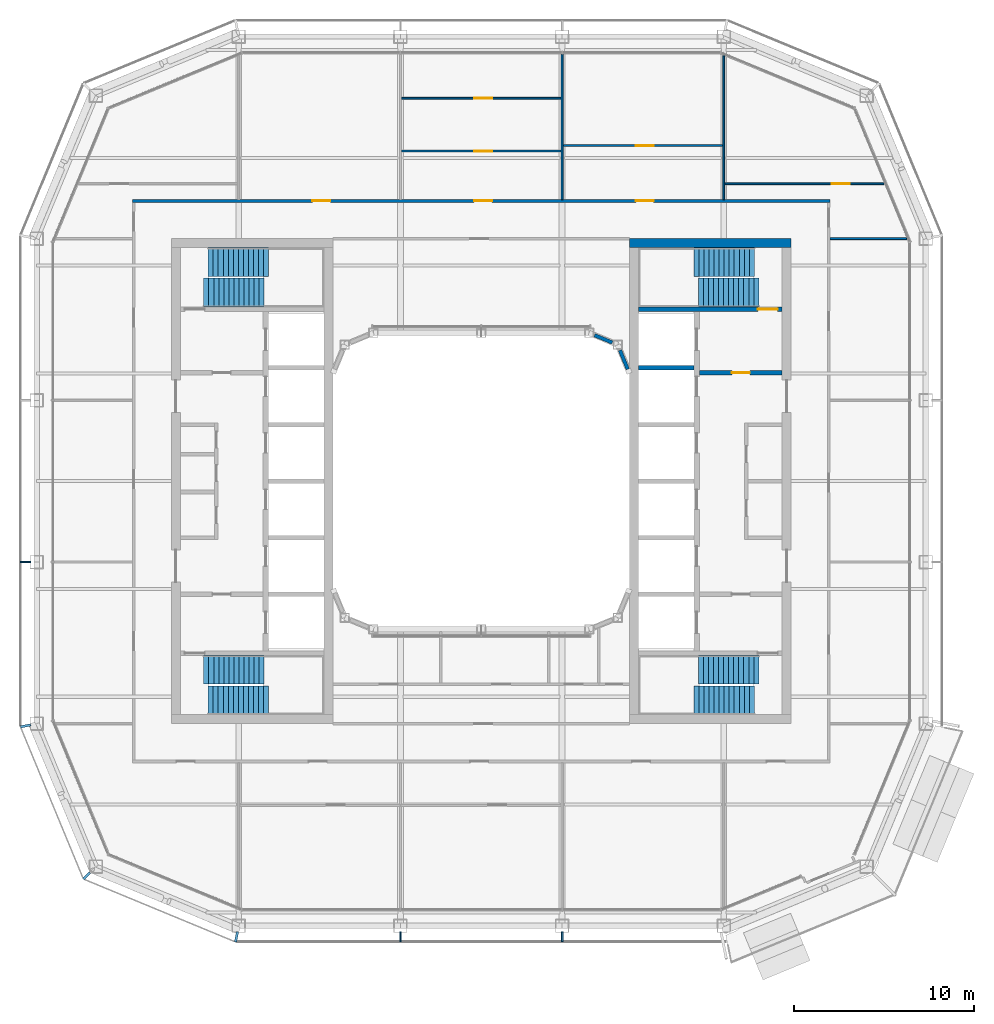
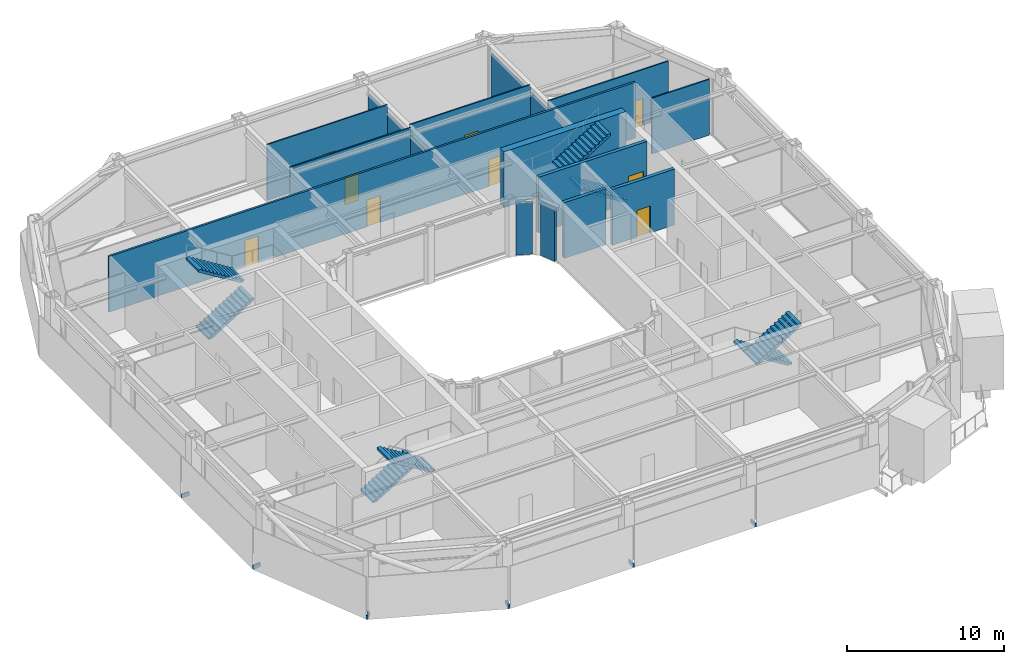
# One storey, part 13 of 21: 14 walls, 9 doors, 8 stair flights, 6 discrete accessories, 9 openings, 4 elements without a shape of their own.
"""IFC4 building model written with IfcOpenShell, lengths in metres."""

from ifc_helpers import new_model, si_unit, direction, frame, frame_2d, origin, origin_2d, place, context, subcontext, project, spatial, polyline, rectangle, outline, extrude, material, layer, layer_set, type_object, element, fill, aggregate, save


model = new_model("IFC4")

# Units and contexts
model_context = context("Model", 3, precision=1e-05, world=origin(), true_north=direction((0.0, 1.0)))
body_context = subcontext(model_context, "Body", "Model", "MODEL_VIEW")
ifc_project = project(units=[si_unit("LENGTHUNIT", "METRE"), si_unit("AREAUNIT", "SQUARE_METRE"), si_unit("VOLUMEUNIT", "CUBIC_METRE"), si_unit("PLANEANGLEUNIT", "RADIAN"), si_unit("MASSUNIT", "GRAM", prefix="KILO")], contexts=[model_context])

# Site, building, storey
site_placement = place(None, origin())
site = spatial("IfcSite", under=ifc_project, at=site_placement, CompositionType="ELEMENT")
building_placement = place(site_placement, origin())
building = spatial("IfcBuilding", under=site, at=building_placement, Name="Siwar Civic Tower", CompositionType="ELEMENT")
storey_placement = place(building_placement, frame((0.0, 0.0, 303.199951171875)))
storey = spatial("IfcBuildingStorey", under=building, at=storey_placement, Name="L65", CompositionType="ELEMENT", Elevation=303.199951171875)

# Wall, opening, door
ifc_material_1 = material(Name="Concrete C60/75", Category="concrete")
ifc_layer_1 = layer(ifc_material_1, 0.25)
ifc_layer_set_1 = layer_set([ifc_layer_1], Name="Concrete C60/75")
wall_type_1 = type_object("IfcWallType", Name="CORE-WALL-RC250", PredefinedType="SHEAR", material=ifc_layer_set_1)
wall_1_placement = place(storey_placement, frame((12.14990234375, 6.02490234375, 0.0), z_axis=(0.0, 0.0, 1.0), x_axis=(1.0, 0.0, 0.0)))
wall_1 = element("IfcWall", 1, at=wall_1_placement, inside=storey, type_object=wall_type_1, Name="Core wall E", PredefinedType="SHEAR", context=body_context, shape_type="SweptSolid", body=[
    extrude(rectangle(XDim=4.60009765625, YDim=0.25, at=frame_2d((2.300048828125, 0.0))), origin(), (0.0, 0.0, 1.0), 4.35009765625),
])
opening_1_placement = place(wall_1_placement, frame((1.800048828125, 0.0, 0.0)))
opening_1 = element("IfcOpeningElement", 2, at=opening_1_placement, cuts=wall_1, Name="Opening L65-CE01", PredefinedType="OPENING", context=body_context, shape_type="SweptSolid", body=[
    extrude(rectangle(XDim=1.0, YDim=2.10009765625, at=frame_2d((0.5, 1.050048828125))), frame((0.0, 0.135009765625, 0.0), z_axis=(0.0, -1.0, 0.0), x_axis=(1.0, 0.0, 0.0)), (0.0, 0.0, 1.0), 0.27001953125),
])
ifc_material_2 = material(Name="Steel door leaf", Category="steel")
door_type_1 = type_object("IfcDoorType", Name="CORE-DOOR-FD30S", OperationType="SINGLE_SWING_LEFT", PredefinedType="DOOR", material=ifc_material_2)
door_1_placement = place(opening_1_placement, origin())
door_1 = element("IfcDoor", 3, at=door_1_placement, inside=storey, type_object=door_type_1, Name="Firefighting lobby door L65-CE01", OperationType="SINGLE_SWING_RIGHT", OverallHeight=2.10009765625, OverallWidth=1.0, PredefinedType="DOOR", context=body_context, shape_type="SweptSolid", body=[
    extrude(rectangle(XDim=1.0, YDim=2.10009765625, at=frame_2d((0.5, 1.050048828125))), frame((0.0, 0.02490234375, 0.0), z_axis=(0.0, -1.0, 0.0), x_axis=(1.0, 0.0, 0.0)), (0.0, 0.0, 1.0), 0.050048828125),
])
fill(opening_1, door_1)

# Wall
wall_2_placement = place(storey_placement, frame((8.75, 6.300048828125, 0.0), z_axis=(0.0, 0.0, 1.0), x_axis=(1.0, 0.0, 0.0)))
element("IfcWall", 4, at=wall_2_placement, inside=storey, type_object=wall_type_1, Name="Core wall E", PredefinedType="SHEAR", context=body_context, shape_type="SweptSolid", body=[
    extrude(rectangle(XDim=3.10009765625, YDim=0.25, at=frame_2d((1.550048828125, 0.0))), origin(), (0.0, 0.0, 1.0), 4.35009765625),
])

# Wall, opening, door
wall_3_placement = place(storey_placement, frame((8.75, 9.574951171875, 0.0), z_axis=(0.0, 0.0, 1.0), x_axis=(1.0, 0.0, 0.0)))
wall_3 = element("IfcWall", 5, at=wall_3_placement, inside=storey, type_object=wall_type_1, Name="Core wall E", PredefinedType="SHEAR", context=body_context, shape_type="SweptSolid", body=[
    extrude(rectangle(XDim=8.0, YDim=0.25, at=frame_2d((4.0, 0.0))), origin(), (0.0, 0.0, 1.0), 4.35009765625),
])
opening_2_placement = place(wall_3_placement, frame((6.64990234375, 0.0, 0.0)))
opening_2 = element("IfcOpeningElement", 6, at=opening_2_placement, cuts=wall_3, Name="Opening L65-CE03", PredefinedType="OPENING", context=body_context, shape_type="SweptSolid", body=[
    extrude(rectangle(XDim=1.10009765625, YDim=2.10009765625, at=frame_2d((0.550048828125, 1.050048828125))), frame((0.0, 0.135009765625, 0.0), z_axis=(0.0, -1.0, 0.0), x_axis=(1.0, 0.0, 0.0)), (0.0, 0.0, 1.0), 0.27001953125),
])
ifc_material_3 = material(Name="Steel door leaf", Category="steel")
door_type_2 = type_object("IfcDoorType", Name="CORE-DOOR-FD60S", OperationType="SINGLE_SWING_LEFT", PredefinedType="DOOR", material=ifc_material_3)
door_2_placement = place(opening_2_placement, origin())
door_2 = element("IfcDoor", 7, at=door_2_placement, inside=storey, type_object=door_type_2, Name="Stair door L65-CE03", OperationType="SINGLE_SWING_LEFT", OverallHeight=2.10009765625, OverallWidth=1.10009765625, PredefinedType="DOOR", context=body_context, shape_type="SweptSolid", body=[
    extrude(rectangle(XDim=1.10009765625, YDim=2.10009765625, at=frame_2d((0.550048828125, 1.050048828125))), frame((0.0, 0.02490234375, 0.0), z_axis=(0.0, -1.0, 0.0), x_axis=(1.0, 0.0, 0.0)), (0.0, 0.0, 1.0), 0.050048828125),
])
fill(opening_2, door_2)

# Wall
ifc_material_4 = material(Name="Concrete C60/75", Category="concrete")
ifc_layer_2 = layer(ifc_material_4, 0.5)
ifc_layer_set_2 = layer_set([ifc_layer_2], Name="Concrete C60/75")
wall_type_2 = type_object("IfcWallType", Name="CORE-WALL-RC500", PredefinedType="SHEAR", material=ifc_layer_set_2)
wall_4_placement = place(storey_placement, frame((8.25, 13.25, 0.0), z_axis=(0.0, 0.0, 1.0), x_axis=(1.0, 0.0, 0.0)))
element("IfcWall", 8, at=wall_4_placement, inside=storey, type_object=wall_type_2, Name="Core wall E", PredefinedType="SHEAR", context=body_context, shape_type="SweptSolid", body=[
    extrude(rectangle(XDim=9.0, YDim=0.5, at=frame_2d((4.5, 0.0))), origin(), (0.0, 0.0, 1.0), 4.35009765625),
])

# Wall, openings, doors
ifc_material_5 = material(Name="Gypsum board on steel studs", Category="steel")
ifc_layer_3 = layer(ifc_material_5, 0.14990234375)
ifc_layer_set_3 = layer_set([ifc_layer_3], Name="Gypsum board on steel studs")
wall_type_3 = type_object("IfcWallType", Name="CORRIDOR PARTITION 150 EI 30", PredefinedType="PARTITIONING", material=ifc_layer_set_3)
wall_5_placement = place(storey_placement, frame((-19.425048828125, 15.60009765625, 0.0), z_axis=(0.0, 0.0, 1.0), x_axis=(1.0, 0.0, 0.0)))
wall_5 = element("IfcWall", 9, at=wall_5_placement, inside=storey, type_object=wall_type_3, Name="L65/wall/P15", PredefinedType="PARTITIONING", context=body_context, shape_type="SweptSolid", body=[
    extrude(rectangle(XDim=38.85009765625, YDim=0.14990234375, at=frame_2d((19.425048828125, 0.0))), origin(), (0.0, 0.0, 1.0), 4.35009765625),
])
opening_3_placement = place(wall_5_placement, frame((10.02490234375, 0.0, 0.0)))
opening_3 = element("IfcOpeningElement", 10, at=opening_3_placement, cuts=wall_5, Name="Opening D1", PredefinedType="OPENING", context=body_context, shape_type="SweptSolid", body=[
    extrude(rectangle(XDim=1.0, YDim=2.10009765625, at=frame_2d((0.5, 1.050048828125))), frame((0.0, 0.0849609375, 0.0), z_axis=(0.0, -1.0, 0.0), x_axis=(1.0, 0.0, 0.0)), (0.0, 0.0, 1.0), 0.169921875),
])
opening_4_placement = place(wall_5_placement, frame((19.02490234375, 0.0, 0.0)))
opening_4 = element("IfcOpeningElement", 11, at=opening_4_placement, cuts=wall_5, Name="Opening D1", PredefinedType="OPENING", context=body_context, shape_type="SweptSolid", body=[
    extrude(rectangle(XDim=1.0, YDim=2.10009765625, at=frame_2d((0.5, 1.050048828125))), frame((0.0, 0.0849609375, 0.0), z_axis=(0.0, -1.0, 0.0), x_axis=(1.0, 0.0, 0.0)), (0.0, 0.0, 1.0), 0.169921875),
])
opening_5_placement = place(wall_5_placement, frame((28.02490234375, 0.0, 0.0)))
opening_5 = element("IfcOpeningElement", 12, at=opening_5_placement, cuts=wall_5, Name="Opening D1", PredefinedType="OPENING", context=body_context, shape_type="SweptSolid", body=[
    extrude(rectangle(XDim=1.0, YDim=2.10009765625, at=frame_2d((0.5, 1.050048828125))), frame((0.0, 0.0849609375, 0.0), z_axis=(0.0, -1.0, 0.0), x_axis=(1.0, 0.0, 0.0)), (0.0, 0.0, 1.0), 0.169921875),
])
ifc_material_6 = material(Name="Timber, painted", Category="wood")
door_type_3 = type_object("IfcDoorType", Name="DOOR 1000 X 2100 FD30", OperationType="SINGLE_SWING_LEFT", PredefinedType="DOOR", material=ifc_material_6)
door_3_placement = place(opening_3_placement, origin())
door_3 = element("IfcDoor", 13, at=door_3_placement, inside=storey, type_object=door_type_3, Name="L65-D01", OperationType="SINGLE_SWING_LEFT", OverallHeight=2.10009765625, OverallWidth=1.0, PredefinedType="DOOR", context=body_context, shape_type="SweptSolid", body=[
    extrude(rectangle(XDim=1.0, YDim=2.10009765625, at=frame_2d((0.5, 1.050048828125))), frame((0.0, 0.02490234375, 0.0), z_axis=(0.0, -1.0, 0.0), x_axis=(1.0, 0.0, 0.0)), (0.0, 0.0, 1.0), 0.050048828125),
])
fill(opening_3, door_3)
door_4_placement = place(opening_4_placement, origin())
door_4 = element("IfcDoor", 14, at=door_4_placement, inside=storey, type_object=door_type_3, Name="L65-D02", OperationType="SINGLE_SWING_RIGHT", OverallHeight=2.10009765625, OverallWidth=1.0, PredefinedType="DOOR", context=body_context, shape_type="SweptSolid", body=[
    extrude(rectangle(XDim=1.0, YDim=2.10009765625, at=frame_2d((0.5, 1.050048828125))), frame((0.0, 0.02490234375, 0.0), z_axis=(0.0, -1.0, 0.0), x_axis=(1.0, 0.0, 0.0)), (0.0, 0.0, 1.0), 0.050048828125),
])
fill(opening_4, door_4)
door_5_placement = place(opening_5_placement, origin())
door_5 = element("IfcDoor", 15, at=door_5_placement, inside=storey, type_object=door_type_3, Name="L65-D05", OperationType="SINGLE_SWING_LEFT", OverallHeight=2.10009765625, OverallWidth=1.0, PredefinedType="DOOR", context=body_context, shape_type="SweptSolid", body=[
    extrude(rectangle(XDim=1.0, YDim=2.10009765625, at=frame_2d((0.5, 1.050048828125))), frame((0.0, 0.02490234375, 0.0), z_axis=(0.0, -1.0, 0.0), x_axis=(1.0, 0.0, 0.0)), (0.0, 0.0, 1.0), 0.050048828125),
])
fill(opening_5, door_5)

# Walls
ifc_material_7 = material(Name="Aluminium clad insulated panel", Category="aluminium")
ifc_layer_4 = layer(ifc_material_7, 0.199951171875)
ifc_layer_set_4 = layer_set([ifc_layer_4], Name="Aluminium clad insulated panel")
wall_type_4 = type_object("IfcWallType", Name="ENV-WALL-WELL", PredefinedType="STANDARD", material=ifc_layer_set_4)
wall_6_placement = place(storey_placement, frame((8.154296875, 6.23095703125, 0.0), z_axis=(0.0, 0.0, 1.0), x_axis=(-0.382571404949, 0.923925927829, 0.0)))
element("IfcWall", 16, at=wall_6_placement, inside=storey, type_object=wall_type_4, Name="Light well corner wall NE1", PredefinedType="STANDARD", context=body_context, shape_type="SweptSolid", body=[
    extrude(rectangle(XDim=1.1455078125, YDim=0.199951171875, at=frame_2d((0.57275390625, 0.0))), origin(), (0.0, 0.0, 1.0), 4.010009765625),
])
wall_7_placement = place(storey_placement, frame((7.289306640625, 7.716064453125, 0.0), z_axis=(0.0, 0.0, 1.0), x_axis=(-0.923919409248, 0.382587147216, 0.0)))
element("IfcWall", 17, at=wall_7_placement, inside=storey, type_object=wall_type_4, Name="Light well corner wall NE2", PredefinedType="STANDARD", context=body_context, shape_type="SweptSolid", body=[
    extrude(rectangle(XDim=1.06884765625, YDim=0.199951171875, at=frame_2d((0.534423828125, 0.0))), origin(), (0.0, 0.0, 1.0), 4.010009765625),
])
ifc_material_8 = material(Name="Gypsum board on steel studs", Category="steel")
ifc_layer_5 = layer(ifc_material_8, 0.10009765625)
ifc_layer_set_5 = layer_set([ifc_layer_5], Name="Gypsum board on steel studs")
wall_type_5 = type_object("IfcWallType", Name="PARTITION 100 GYPSUM", PredefinedType="PARTITIONING", material=ifc_layer_set_5)
wall_8_placement = place(storey_placement, frame((19.425048828125, 13.5, 0.0), z_axis=(0.0, 0.0, 1.0), x_axis=(1.0, 0.0, 0.0)))
element("IfcWall", 18, at=wall_8_placement, inside=storey, type_object=wall_type_5, Name="L65/wall/P13", PredefinedType="PARTITIONING", context=body_context, shape_type="SweptSolid", body=[
    extrude(rectangle(XDim=4.2529296875, YDim=0.10009765625, at=frame_2d((2.12646484375, 0.0))), origin(), (0.0, 0.0, 1.0), 4.35009765625),
])

# Wall, opening, door
wall_9_placement = place(storey_placement, frame((13.550048828125, 16.552978515625, 0.0), z_axis=(0.0, 0.0, 1.0), x_axis=(1.0, 0.0, 0.0)))
wall_9 = element("IfcWall", 19, at=wall_9_placement, inside=storey, type_object=wall_type_5, Name="L65/wall/P17", PredefinedType="PARTITIONING", context=body_context, shape_type="SweptSolid", body=[
    extrude(rectangle(XDim=8.863037109375, YDim=0.10009765625, at=frame_2d((4.431640625, 0.0))), origin(), (0.0, 0.0, 1.0), 4.35009765625),
])
opening_6_placement = place(wall_9_placement, frame((5.962890625, 0.0, 0.0)))
opening_6 = element("IfcOpeningElement", 20, at=opening_6_placement, cuts=wall_9, Name="Opening D2", PredefinedType="OPENING", context=body_context, shape_type="SweptSolid", body=[
    extrude(rectangle(XDim=1.0, YDim=2.10009765625, at=frame_2d((0.5, 1.050048828125))), frame((0.0, 0.06005859375, 0.0), z_axis=(0.0, -1.0, 0.0), x_axis=(1.0, 0.0, 0.0)), (0.0, 0.0, 1.0), 0.1201171875),
])
ifc_material_9 = material(Name="Timber, painted", Category="wood")
door_type_4 = type_object("IfcDoorType", Name="DOOR 1000 X 2100", OperationType="SINGLE_SWING_LEFT", PredefinedType="DOOR", material=ifc_material_9)
door_6_placement = place(opening_6_placement, origin())
door_6 = element("IfcDoor", 21, at=door_6_placement, inside=storey, type_object=door_type_4, Name="L65-D15", OperationType="SINGLE_SWING_LEFT", OverallHeight=2.10009765625, OverallWidth=1.0, PredefinedType="DOOR", context=body_context, shape_type="SweptSolid", body=[
    extrude(rectangle(XDim=1.0, YDim=2.10009765625, at=frame_2d((0.5, 1.050048828125))), frame((0.0, 0.02490234375, 0.0), z_axis=(0.0, -1.0, 0.0), x_axis=(1.0, 0.0, 0.0)), (0.0, 0.0, 1.0), 0.050048828125),
])
fill(opening_6, door_6)

wall_10_placement = place(storey_placement, frame((-4.449951171875, 18.3740234375, 0.0), z_axis=(0.0, 0.0, 1.0), x_axis=(1.0, 0.0, 0.0)))
wall_10 = element("IfcWall", 22, at=wall_10_placement, inside=storey, type_object=wall_type_5, Name="L65/wall/P18", PredefinedType="PARTITIONING", context=body_context, shape_type="SweptSolid", body=[
    extrude(rectangle(XDim=8.89990234375, YDim=0.10009765625, at=frame_2d((4.449951171875, 0.0))), origin(), (0.0, 0.0, 1.0), 4.35009765625),
])
opening_7_placement = place(wall_10_placement, frame((4.050048828125, 0.0, 0.0)))
opening_7 = element("IfcOpeningElement", 23, at=opening_7_placement, cuts=wall_10, Name="Opening D2", PredefinedType="OPENING", context=body_context, shape_type="SweptSolid", body=[
    extrude(rectangle(XDim=1.0, YDim=2.10009765625, at=frame_2d((0.5, 1.050048828125))), frame((0.0, 0.06005859375, 0.0), z_axis=(0.0, -1.0, 0.0), x_axis=(1.0, 0.0, 0.0)), (0.0, 0.0, 1.0), 0.1201171875),
])
door_7_placement = place(opening_7_placement, origin())
door_7 = element("IfcDoor", 24, at=door_7_placement, inside=storey, type_object=door_type_4, Name="L65-D03", OperationType="SINGLE_SWING_LEFT", OverallHeight=2.10009765625, OverallWidth=1.0, PredefinedType="DOOR", context=body_context, shape_type="SweptSolid", body=[
    extrude(rectangle(XDim=1.0, YDim=2.10009765625, at=frame_2d((0.5, 1.050048828125))), frame((0.0, 0.02490234375, 0.0), z_axis=(0.0, -1.0, 0.0), x_axis=(1.0, 0.0, 0.0)), (0.0, 0.0, 1.0), 0.050048828125),
])
fill(opening_7, door_7)

wall_11_placement = place(storey_placement, frame((4.550048828125, 18.679931640625, 0.0), z_axis=(0.0, 0.0, 1.0), x_axis=(1.0, 0.0, 0.0)))
wall_11 = element("IfcWall", 25, at=wall_11_placement, inside=storey, type_object=wall_type_5, Name="L65/wall/P19", PredefinedType="PARTITIONING", context=body_context, shape_type="SweptSolid", body=[
    extrude(rectangle(XDim=8.89990234375, YDim=0.10009765625, at=frame_2d((4.449951171875, 0.0))), origin(), (0.0, 0.0, 1.0), 4.35009765625),
])
opening_8_placement = place(wall_11_placement, frame((4.050048828125, 0.0, 0.0)))
opening_8 = element("IfcOpeningElement", 26, at=opening_8_placement, cuts=wall_11, Name="Opening D2", PredefinedType="OPENING", context=body_context, shape_type="SweptSolid", body=[
    extrude(rectangle(XDim=1.0, YDim=2.10009765625, at=frame_2d((0.5, 1.050048828125))), frame((0.0, 0.06005859375, 0.0), z_axis=(0.0, -1.0, 0.0), x_axis=(1.0, 0.0, 0.0)), (0.0, 0.0, 1.0), 0.1201171875),
])
door_8_placement = place(opening_8_placement, origin())
door_8 = element("IfcDoor", 27, at=door_8_placement, inside=storey, type_object=door_type_4, Name="L65-D06", OperationType="SINGLE_SWING_RIGHT", OverallHeight=2.10009765625, OverallWidth=1.0, PredefinedType="DOOR", context=body_context, shape_type="SweptSolid", body=[
    extrude(rectangle(XDim=1.0, YDim=2.10009765625, at=frame_2d((0.5, 1.050048828125))), frame((0.0, 0.02490234375, 0.0), z_axis=(0.0, -1.0, 0.0), x_axis=(1.0, 0.0, 0.0)), (0.0, 0.0, 1.0), 0.050048828125),
])
fill(opening_8, door_8)

wall_12_placement = place(storey_placement, frame((-4.449951171875, 21.31201171875, 0.0), z_axis=(0.0, 0.0, 1.0), x_axis=(1.0, 0.0, 0.0)))
wall_12 = element("IfcWall", 28, at=wall_12_placement, inside=storey, type_object=wall_type_5, Name="L65/wall/P20", PredefinedType="PARTITIONING", context=body_context, shape_type="SweptSolid", body=[
    extrude(rectangle(XDim=8.89990234375, YDim=0.10009765625, at=frame_2d((4.449951171875, 0.0))), origin(), (0.0, 0.0, 1.0), 4.35009765625),
])
opening_9_placement = place(wall_12_placement, frame((4.050048828125, 0.0, 0.0)))
opening_9 = element("IfcOpeningElement", 29, at=opening_9_placement, cuts=wall_12, Name="Opening D2", PredefinedType="OPENING", context=body_context, shape_type="SweptSolid", body=[
    extrude(rectangle(XDim=1.0, YDim=2.10009765625, at=frame_2d((0.5, 1.050048828125))), frame((0.0, 0.06005859375, 0.0), z_axis=(0.0, -1.0, 0.0), x_axis=(1.0, 0.0, 0.0)), (0.0, 0.0, 1.0), 0.1201171875),
])
door_9_placement = place(opening_9_placement, origin())
door_9 = element("IfcDoor", 30, at=door_9_placement, inside=storey, type_object=door_type_4, Name="L65-D04", OperationType="SINGLE_SWING_RIGHT", OverallHeight=2.10009765625, OverallWidth=1.0, PredefinedType="DOOR", context=body_context, shape_type="SweptSolid", body=[
    extrude(rectangle(XDim=1.0, YDim=2.10009765625, at=frame_2d((0.5, 1.050048828125))), frame((0.0, 0.02490234375, 0.0), z_axis=(0.0, -1.0, 0.0), x_axis=(1.0, 0.0, 0.0)), (0.0, 0.0, 1.0), 0.050048828125),
])
fill(opening_9, door_9)

# Walls
wall_13_placement = place(storey_placement, frame((4.5, 15.675048828125, 0.0), z_axis=(0.0, 0.0, 1.0), x_axis=(0.0, 1.0, 0.0)))
element("IfcWall", 31, at=wall_13_placement, inside=storey, type_object=wall_type_5, Name="L65/wall/P30", PredefinedType="PARTITIONING", context=body_context, shape_type="SweptSolid", body=[
    extrude(rectangle(XDim=8.0849609375, YDim=0.10009765625, at=frame_2d((4.04248046875, 0.0))), origin(), (0.0, 0.0, 1.0), 3.650146484375),
])
wall_14_placement = place(storey_placement, frame((13.5, 15.675048828125, 0.0), z_axis=(0.0, 0.0, 1.0), x_axis=(0.0, 1.0, 0.0)))
element("IfcWall", 32, at=wall_14_placement, inside=storey, type_object=wall_type_5, Name="L65/wall/P33", PredefinedType="PARTITIONING", context=body_context, shape_type="SweptSolid", body=[
    extrude(rectangle(XDim=8.0029296875, YDim=0.10009765625, at=frame_2d((4.00146484375, 0.0))), origin(), (0.0, 0.0, 1.0), 3.75),
])

# Stair, stair flights
ifc_material_10 = material(Name="Concrete C40/50", Category="concrete")
stair_type = type_object("IfcStairType", Name="CORE-STAIR", PredefinedType="TWO_STRAIGHT_RUN_STAIR", material=ifc_material_10)
stair_1_placement = place(storey_placement, origin())
stair_1 = element("IfcStair", 33, at=stair_1_placement, inside=storey, type_object=stair_type, Name="Exit stair ST1", PredefinedType="TWO_STRAIGHT_RUN_STAIR")
ifc_material_11 = material(Name="Concrete C40/50", Category="concrete")
stair_flight_type = type_object("IfcStairFlightType", Name="CORE-STAIR-FLIGHT", PredefinedType="STRAIGHT", material=ifc_material_11)
stair_flight_1_placement = place(storey_placement, frame((-15.449951171875, 10.5, 0.0), z_axis=(0.0, 0.0, 1.0), x_axis=(1.0, 0.0, 0.0)))
stair_flight_1 = element("IfcStairFlight", 34, at=stair_flight_1_placement, type_object=stair_flight_type, Name="ST1 flight 1", NumberOfRisers=13, NumberOfTreads=12, PredefinedType="STRAIGHT", RiserHeight=0.173076923, TreadLength=0.28, context=body_context, shape_type="SweptSolid", body=[
    extrude(outline(polyline([(0.0, 0.0), (0.0, 0.173095703125), (0.280029296875, 0.173095703125), (0.280029296875, 0.34619140625), (0.56005859375, 0.34619140625), (0.56005859375, 0.519287109375), (0.840087890625, 0.519287109375), (0.840087890625, 0.6923828125), (1.1201171875, 0.6923828125), (1.1201171875, 0.865478515625), (1.39990234375, 0.865478515625), (1.39990234375, 1.03857421875), (1.679931640625, 1.03857421875), (1.679931640625, 1.21142578125), (1.9599609375, 1.21142578125), (1.9599609375, 1.384521484375), (2.239990234375, 1.384521484375), (2.239990234375, 1.5576171875), (2.52001953125, 1.5576171875), (2.52001953125, 1.730712890625), (2.800048828125, 1.730712890625), (2.800048828125, 1.90380859375), (3.080078125, 1.90380859375), (3.080078125, 2.076904296875), (3.360107421875, 2.076904296875), (3.360107421875, 2.25), (3.360107421875, 1.900634765625), (0.28515625, 0.0), (0.0, 0.0)])), frame((0.0, 0.800048828125, 0.0), z_axis=(0.0, -1.0, 0.0), x_axis=(1.0, 0.0, 0.0)), (0.0, 0.0, 1.0), 1.60009765625),
])
stair_flight_2_placement = place(storey_placement, frame((-11.840087890625, 12.199951171875, 2.25), z_axis=(0.0, 0.0, 1.0), x_axis=(-1.0, 0.0, 0.0)))
stair_flight_2 = element("IfcStairFlight", 35, at=stair_flight_2_placement, type_object=stair_flight_type, Name="ST1 flight 2", NumberOfRisers=13, NumberOfTreads=12, PredefinedType="STRAIGHT", RiserHeight=0.173076923, TreadLength=0.28, context=body_context, shape_type="SweptSolid", body=[
    extrude(outline(polyline([(0.0, 0.0), (0.0, 0.173095703125), (0.280029296875, 0.173095703125), (0.280029296875, 0.34619140625), (0.56005859375, 0.34619140625), (0.56005859375, 0.519287109375), (0.840087890625, 0.519287109375), (0.840087890625, 0.6923828125), (1.1201171875, 0.6923828125), (1.1201171875, 0.865478515625), (1.39990234375, 0.865478515625), (1.39990234375, 1.03857421875), (1.679931640625, 1.03857421875), (1.679931640625, 1.21142578125), (1.9599609375, 1.21142578125), (1.9599609375, 1.384521484375), (2.239990234375, 1.384521484375), (2.239990234375, 1.5576171875), (2.52001953125, 1.5576171875), (2.52001953125, 1.730712890625), (2.800048828125, 1.730712890625), (2.800048828125, 1.90380859375), (3.080078125, 1.90380859375), (3.080078125, 2.076904296875), (3.360107421875, 2.076904296875), (3.360107421875, 2.25), (3.360107421875, 1.900634765625), (0.28515625, 0.0), (0.0, 0.0)])), frame((0.0, 0.800048828125, 0.0), z_axis=(0.0, -1.0, 0.0), x_axis=(1.0, 0.0, 0.0)), (0.0, 0.0, 1.0), 1.60009765625),
])
aggregate(stair_1, [stair_flight_1, stair_flight_2])

stair_2_placement = place(storey_placement, origin())
stair_2 = element("IfcStair", 36, at=stair_2_placement, inside=storey, type_object=stair_type, Name="Exit stair ST2", PredefinedType="TWO_STRAIGHT_RUN_STAIR")
stair_flight_3_placement = place(storey_placement, frame((-15.449951171875, -10.5, 0.0), z_axis=(0.0, 0.0, 1.0), x_axis=(1.0, 0.0, 0.0)))
stair_flight_3 = element("IfcStairFlight", 37, at=stair_flight_3_placement, type_object=stair_flight_type, Name="ST2 flight 1", NumberOfRisers=13, NumberOfTreads=12, PredefinedType="STRAIGHT", RiserHeight=0.173076923, TreadLength=0.28, context=body_context, shape_type="SweptSolid", body=[
    extrude(outline(polyline([(0.0, 0.0), (0.0, 0.173095703125), (0.280029296875, 0.173095703125), (0.280029296875, 0.34619140625), (0.56005859375, 0.34619140625), (0.56005859375, 0.519287109375), (0.840087890625, 0.519287109375), (0.840087890625, 0.6923828125), (1.1201171875, 0.6923828125), (1.1201171875, 0.865478515625), (1.39990234375, 0.865478515625), (1.39990234375, 1.03857421875), (1.679931640625, 1.03857421875), (1.679931640625, 1.21142578125), (1.9599609375, 1.21142578125), (1.9599609375, 1.384521484375), (2.239990234375, 1.384521484375), (2.239990234375, 1.5576171875), (2.52001953125, 1.5576171875), (2.52001953125, 1.730712890625), (2.800048828125, 1.730712890625), (2.800048828125, 1.90380859375), (3.080078125, 1.90380859375), (3.080078125, 2.076904296875), (3.360107421875, 2.076904296875), (3.360107421875, 2.25), (3.360107421875, 1.900634765625), (0.28515625, 0.0), (0.0, 0.0)])), frame((0.0, 0.800048828125, 0.0), z_axis=(0.0, -1.0, 0.0), x_axis=(1.0, 0.0, 0.0)), (0.0, 0.0, 1.0), 1.60009765625),
])
stair_flight_4_placement = place(storey_placement, frame((-11.840087890625, -12.199951171875, 2.25), z_axis=(0.0, 0.0, 1.0), x_axis=(-1.0, 0.0, 0.0)))
stair_flight_4 = element("IfcStairFlight", 38, at=stair_flight_4_placement, type_object=stair_flight_type, Name="ST2 flight 2", NumberOfRisers=13, NumberOfTreads=12, PredefinedType="STRAIGHT", RiserHeight=0.173076923, TreadLength=0.28, context=body_context, shape_type="SweptSolid", body=[
    extrude(outline(polyline([(0.0, 0.0), (0.0, 0.173095703125), (0.280029296875, 0.173095703125), (0.280029296875, 0.34619140625), (0.56005859375, 0.34619140625), (0.56005859375, 0.519287109375), (0.840087890625, 0.519287109375), (0.840087890625, 0.6923828125), (1.1201171875, 0.6923828125), (1.1201171875, 0.865478515625), (1.39990234375, 0.865478515625), (1.39990234375, 1.03857421875), (1.679931640625, 1.03857421875), (1.679931640625, 1.21142578125), (1.9599609375, 1.21142578125), (1.9599609375, 1.384521484375), (2.239990234375, 1.384521484375), (2.239990234375, 1.5576171875), (2.52001953125, 1.5576171875), (2.52001953125, 1.730712890625), (2.800048828125, 1.730712890625), (2.800048828125, 1.90380859375), (3.080078125, 1.90380859375), (3.080078125, 2.076904296875), (3.360107421875, 2.076904296875), (3.360107421875, 2.25), (3.360107421875, 1.900634765625), (0.28515625, 0.0), (0.0, 0.0)])), frame((0.0, 0.800048828125, 0.0), z_axis=(0.0, -1.0, 0.0), x_axis=(1.0, 0.0, 0.0)), (0.0, 0.0, 1.0), 1.60009765625),
])
aggregate(stair_2, [stair_flight_3, stair_flight_4])

stair_3_placement = place(storey_placement, origin())
stair_3 = element("IfcStair", 39, at=stair_3_placement, inside=storey, type_object=stair_type, Name="Exit stair ST3", PredefinedType="TWO_STRAIGHT_RUN_STAIR")
stair_flight_5_placement = place(storey_placement, frame((15.449951171875, 10.5, 0.0), z_axis=(0.0, 0.0, 1.0), x_axis=(-1.0, 0.0, 0.0)))
stair_flight_5 = element("IfcStairFlight", 40, at=stair_flight_5_placement, type_object=stair_flight_type, Name="ST3 flight 1", NumberOfRisers=13, NumberOfTreads=12, PredefinedType="STRAIGHT", RiserHeight=0.173076923, TreadLength=0.28, context=body_context, shape_type="SweptSolid", body=[
    extrude(outline(polyline([(0.0, 0.0), (0.0, 0.173095703125), (0.280029296875, 0.173095703125), (0.280029296875, 0.34619140625), (0.56005859375, 0.34619140625), (0.56005859375, 0.519287109375), (0.840087890625, 0.519287109375), (0.840087890625, 0.6923828125), (1.1201171875, 0.6923828125), (1.1201171875, 0.865478515625), (1.39990234375, 0.865478515625), (1.39990234375, 1.03857421875), (1.679931640625, 1.03857421875), (1.679931640625, 1.21142578125), (1.9599609375, 1.21142578125), (1.9599609375, 1.384521484375), (2.239990234375, 1.384521484375), (2.239990234375, 1.5576171875), (2.52001953125, 1.5576171875), (2.52001953125, 1.730712890625), (2.800048828125, 1.730712890625), (2.800048828125, 1.90380859375), (3.080078125, 1.90380859375), (3.080078125, 2.076904296875), (3.360107421875, 2.076904296875), (3.360107421875, 2.25), (3.360107421875, 1.900634765625), (0.28515625, 0.0), (0.0, 0.0)])), frame((0.0, 0.800048828125, 0.0), z_axis=(0.0, -1.0, 0.0), x_axis=(1.0, 0.0, 0.0)), (0.0, 0.0, 1.0), 1.60009765625),
])
stair_flight_6_placement = place(storey_placement, frame((11.840087890625, 12.199951171875, 2.25), z_axis=(0.0, 0.0, 1.0), x_axis=(1.0, 0.0, 0.0)))
stair_flight_6 = element("IfcStairFlight", 41, at=stair_flight_6_placement, type_object=stair_flight_type, Name="ST3 flight 2", NumberOfRisers=13, NumberOfTreads=12, PredefinedType="STRAIGHT", RiserHeight=0.173076923, TreadLength=0.28, context=body_context, shape_type="SweptSolid", body=[
    extrude(outline(polyline([(0.0, 0.0), (0.0, 0.173095703125), (0.280029296875, 0.173095703125), (0.280029296875, 0.34619140625), (0.56005859375, 0.34619140625), (0.56005859375, 0.519287109375), (0.840087890625, 0.519287109375), (0.840087890625, 0.6923828125), (1.1201171875, 0.6923828125), (1.1201171875, 0.865478515625), (1.39990234375, 0.865478515625), (1.39990234375, 1.03857421875), (1.679931640625, 1.03857421875), (1.679931640625, 1.21142578125), (1.9599609375, 1.21142578125), (1.9599609375, 1.384521484375), (2.239990234375, 1.384521484375), (2.239990234375, 1.5576171875), (2.52001953125, 1.5576171875), (2.52001953125, 1.730712890625), (2.800048828125, 1.730712890625), (2.800048828125, 1.90380859375), (3.080078125, 1.90380859375), (3.080078125, 2.076904296875), (3.360107421875, 2.076904296875), (3.360107421875, 2.25), (3.360107421875, 1.900634765625), (0.28515625, 0.0), (0.0, 0.0)])), frame((0.0, 0.800048828125, 0.0), z_axis=(0.0, -1.0, 0.0), x_axis=(1.0, 0.0, 0.0)), (0.0, 0.0, 1.0), 1.60009765625),
])
aggregate(stair_3, [stair_flight_5, stair_flight_6])

stair_4_placement = place(storey_placement, origin())
stair_4 = element("IfcStair", 42, at=stair_4_placement, inside=storey, type_object=stair_type, Name="Exit stair ST4", PredefinedType="TWO_STRAIGHT_RUN_STAIR")
stair_flight_7_placement = place(storey_placement, frame((15.449951171875, -10.5, 0.0), z_axis=(0.0, 0.0, 1.0), x_axis=(-1.0, 0.0, 0.0)))
stair_flight_7 = element("IfcStairFlight", 43, at=stair_flight_7_placement, type_object=stair_flight_type, Name="ST4 flight 1", NumberOfRisers=13, NumberOfTreads=12, PredefinedType="STRAIGHT", RiserHeight=0.173076923, TreadLength=0.28, context=body_context, shape_type="SweptSolid", body=[
    extrude(outline(polyline([(0.0, 0.0), (0.0, 0.173095703125), (0.280029296875, 0.173095703125), (0.280029296875, 0.34619140625), (0.56005859375, 0.34619140625), (0.56005859375, 0.519287109375), (0.840087890625, 0.519287109375), (0.840087890625, 0.6923828125), (1.1201171875, 0.6923828125), (1.1201171875, 0.865478515625), (1.39990234375, 0.865478515625), (1.39990234375, 1.03857421875), (1.679931640625, 1.03857421875), (1.679931640625, 1.21142578125), (1.9599609375, 1.21142578125), (1.9599609375, 1.384521484375), (2.239990234375, 1.384521484375), (2.239990234375, 1.5576171875), (2.52001953125, 1.5576171875), (2.52001953125, 1.730712890625), (2.800048828125, 1.730712890625), (2.800048828125, 1.90380859375), (3.080078125, 1.90380859375), (3.080078125, 2.076904296875), (3.360107421875, 2.076904296875), (3.360107421875, 2.25), (3.360107421875, 1.900634765625), (0.28515625, 0.0), (0.0, 0.0)])), frame((0.0, 0.800048828125, 0.0), z_axis=(0.0, -1.0, 0.0), x_axis=(1.0, 0.0, 0.0)), (0.0, 0.0, 1.0), 1.60009765625),
])
stair_flight_8_placement = place(storey_placement, frame((11.840087890625, -12.199951171875, 2.25), z_axis=(0.0, 0.0, 1.0), x_axis=(1.0, 0.0, 0.0)))
stair_flight_8 = element("IfcStairFlight", 44, at=stair_flight_8_placement, type_object=stair_flight_type, Name="ST4 flight 2", NumberOfRisers=13, NumberOfTreads=12, PredefinedType="STRAIGHT", RiserHeight=0.173076923, TreadLength=0.28, context=body_context, shape_type="SweptSolid", body=[
    extrude(outline(polyline([(0.0, 0.0), (0.0, 0.173095703125), (0.280029296875, 0.173095703125), (0.280029296875, 0.34619140625), (0.56005859375, 0.34619140625), (0.56005859375, 0.519287109375), (0.840087890625, 0.519287109375), (0.840087890625, 0.6923828125), (1.1201171875, 0.6923828125), (1.1201171875, 0.865478515625), (1.39990234375, 0.865478515625), (1.39990234375, 1.03857421875), (1.679931640625, 1.03857421875), (1.679931640625, 1.21142578125), (1.9599609375, 1.21142578125), (1.9599609375, 1.384521484375), (2.239990234375, 1.384521484375), (2.239990234375, 1.5576171875), (2.52001953125, 1.5576171875), (2.52001953125, 1.730712890625), (2.800048828125, 1.730712890625), (2.800048828125, 1.90380859375), (3.080078125, 1.90380859375), (3.080078125, 2.076904296875), (3.360107421875, 2.076904296875), (3.360107421875, 2.25), (3.360107421875, 1.900634765625), (0.28515625, 0.0), (0.0, 0.0)])), frame((0.0, 0.800048828125, 0.0), z_axis=(0.0, -1.0, 0.0), x_axis=(1.0, 0.0, 0.0)), (0.0, 0.0, 1.0), 1.60009765625),
])
aggregate(stair_4, [stair_flight_7, stair_flight_8])

# Discrete accessories
ifc_material_12 = material(Name="Stainless steel 316", Category="steel")
discrete_accessory_type = type_object("IfcDiscreteAccessoryType", Name="ENV-BRACKET", PredefinedType="BRACKET", material=ifc_material_12)
for number, where, z_axis, x_axis, name in (
    (45, (-4.5, -25.364990234375, -0.14990234375), (0.0, 0.0, 1.0), (0.0, -1.0, 0.0), "Bracket outer skin joint S-01"),
    (46, (4.5, -25.364990234375, -0.14990234375), (0.0, 0.0, 1.0), (0.0, -1.0, 0.0), "Bracket outer skin joint S-02"),
):
    element("IfcDiscreteAccessory", number, at=place(storey_placement, frame(where, z_axis=z_axis, x_axis=x_axis)), inside=storey, type_object=discrete_accessory_type, Name=name, PredefinedType="BRACKET", context=body_context, shape_type="SweptSolid", body=[
        extrude(rectangle(XDim=0.570068359375, YDim=0.10009765625, at=origin_2d()), origin(), (0.0, 0.0, 1.0), 0.300048828125),
    ])
for number, where, z_axis, x_axis, name in (
    (47, (-13.622314453125, -25.365234375, -0.14990234375), (0.0, 0.0, 1.0), (-0.195090322016, -0.980785280403, 0.0), "Bracket outer skin joint V00"),
    (48, (-25.365234375, -13.622314453125, -0.14990234375), (0.0, 0.0, 1.0), (-0.980785280403, -0.195090322016, 0.0), "Bracket outer skin joint V10"),
):
    element("IfcDiscreteAccessory", number, at=place(storey_placement, frame(where, z_axis=z_axis, x_axis=x_axis)), inside=storey, type_object=discrete_accessory_type, Name=name, PredefinedType="BRACKET", context=body_context, shape_type="SweptSolid", body=[
        extrude(rectangle(XDim=0.580810546875, YDim=0.13720703125, at=origin_2d()), origin(), (0.0, 0.0, 1.0), 0.300048828125),
    ])
discrete_accessory_1_placement = place(storey_placement, frame((-21.96728515625, -21.96728515625, -0.14990234375), z_axis=(0.0, 0.0, 1.0), x_axis=(-0.707106781187, -0.707106781187, 0.0)))
element("IfcDiscreteAccessory", 49, at=discrete_accessory_1_placement, inside=storey, type_object=discrete_accessory_type, Name="Bracket outer skin joint V11", PredefinedType="BRACKET", context=body_context, shape_type="SweptSolid", body=[
    extrude(rectangle(XDim=0.499267578125, YDim=0.12939453125, at=origin_2d()), origin(), (0.0, 0.0, 1.0), 0.300048828125),
])
discrete_accessory_2_placement = place(storey_placement, frame((-25.364990234375, -4.5, -0.14990234375), z_axis=(0.0, 0.0, 1.0), x_axis=(-1.0, 0.0, 0.0)))
element("IfcDiscreteAccessory", 50, at=discrete_accessory_2_placement, inside=storey, type_object=discrete_accessory_type, Name="Bracket outer skin joint W-02", PredefinedType="BRACKET", context=body_context, shape_type="SweptSolid", body=[
    extrude(rectangle(XDim=0.570068359375, YDim=0.10009765625, at=origin_2d()), origin(), (0.0, 0.0, 1.0), 0.300048828125),
])

save(model, "model.ifc")
